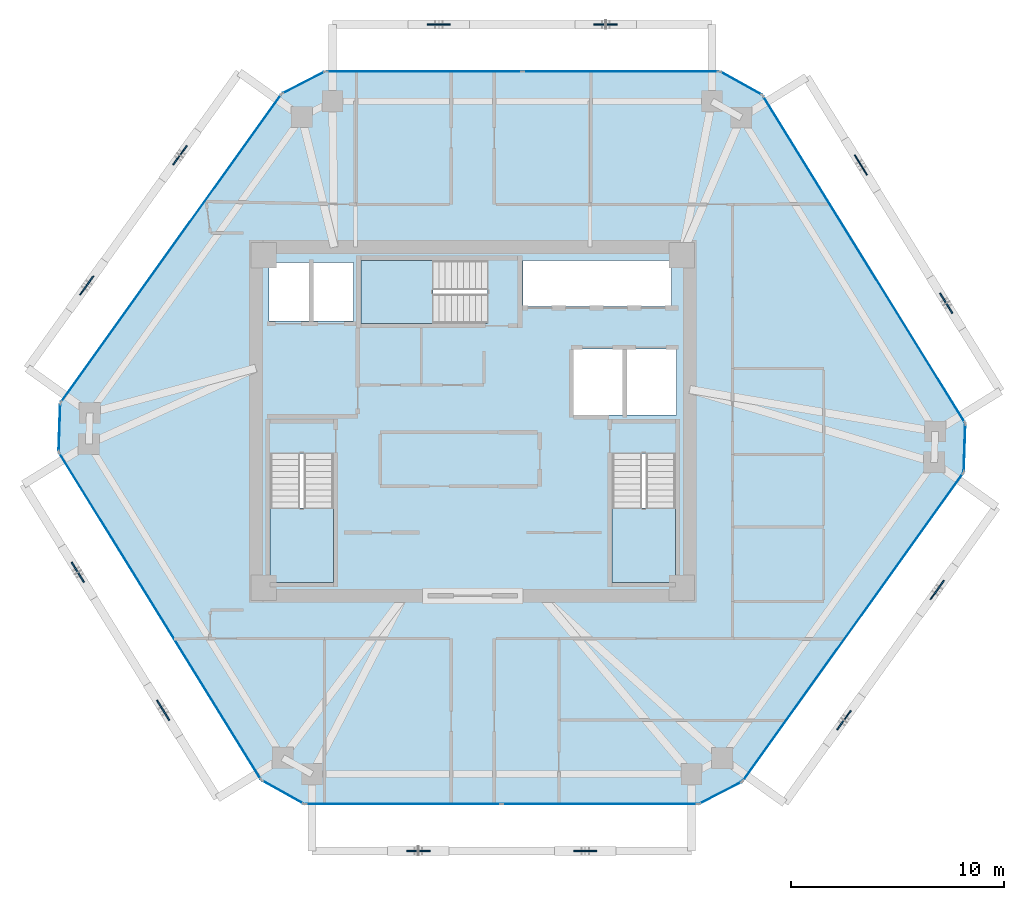
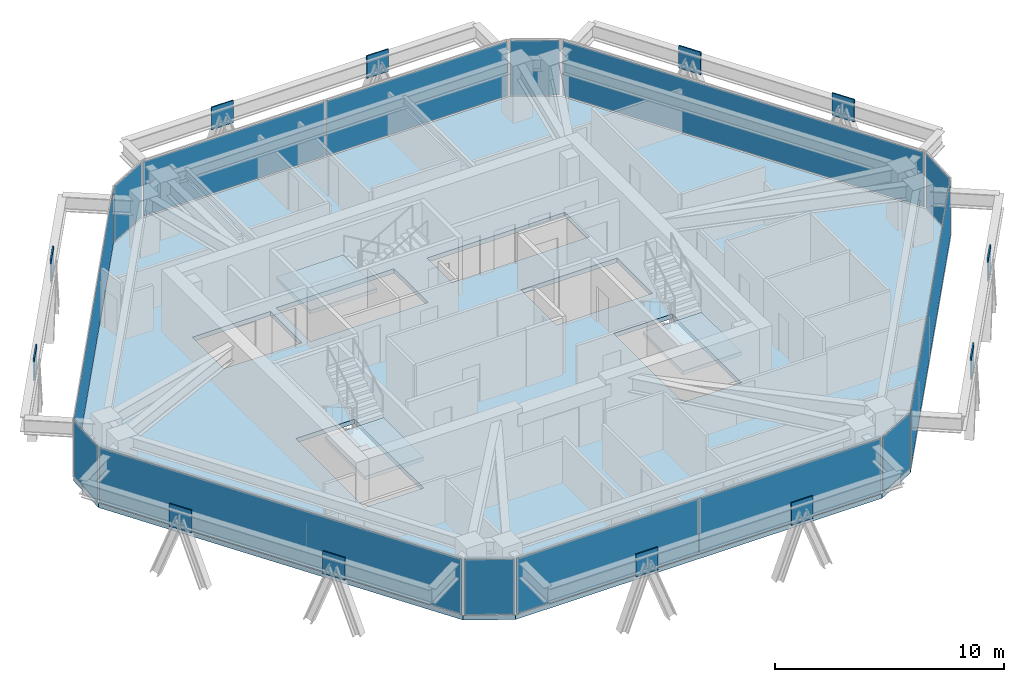
# One storey, part 7 of 14: 26 plates, 4 slabs, 15 elements without a shape of their own.
"""IFC4 building model written with IfcOpenShell, lengths in metres."""

from ifc_helpers import new_model, si_unit, direction, frame, origin, origin_2d, place, context, subcontext, project, spatial, polyline, rectangle, outline, extrude, source, transform, mapped, material, layer, layer_set, type_object, type_shapes, element, aggregate, save


model = new_model("IFC4")

# Units and contexts
model_context = context("Model", 3, precision=1e-05, world=origin(), true_north=direction((0.0, 1.0)))
body_context = subcontext(model_context, "Body", "Model", "MODEL_VIEW")
ifc_project = project(units=[si_unit("LENGTHUNIT", "METRE"), si_unit("AREAUNIT", "SQUARE_METRE"), si_unit("VOLUMEUNIT", "CUBIC_METRE"), si_unit("PLANEANGLEUNIT", "RADIAN"), si_unit("MASSUNIT", "GRAM", prefix="KILO")], contexts=[model_context])

# Site, building, storey
site_placement = place(None, origin())
site = spatial("IfcSite", under=ifc_project, at=site_placement, CompositionType="ELEMENT")
building_placement = place(site_placement, origin())
building = spatial("IfcBuilding", under=site, at=building_placement, Name="Durnholm Broadcast Tower", CompositionType="ELEMENT")
storey_placement = place(building_placement, frame((0.0, 0.0, 187.0)))
storey = spatial("IfcBuildingStorey", under=building, at=storey_placement, Name="L51", CompositionType="ELEMENT", Elevation=187.0)

# Slab
ifc_material_1 = material(Name="Concrete C50/60", Category="concrete")
ifc_layer_1 = layer(ifc_material_1, 0.239990234375)
ifc_layer_set_1 = layer_set([ifc_layer_1], Name="Concrete C50/60")
slab_type_1 = type_object("IfcSlabType", Name="SLAB-FLR-240", PredefinedType="FLOOR", material=ifc_layer_set_1)
slab_1_placement = place(storey_placement, frame((0.0, 0.0, -0.239990234375)))
element("IfcSlab", 1, at=slab_1_placement, inside=storey, type_object=slab_type_1, Name="L51 structural floor slab", PredefinedType="FLOOR", context=body_context, shape_type="SweptSolid", body=[
    extrude(outline(polyline([(-9.912353515625, -16.822021484375), (-7.9033203125, -17.94189453125), (10.59521484375, -17.94189453125), (12.64111328125, -16.890625), (23.022705078125, -2.390380859375), (23.1005859375, -0.091552734375), (13.59033203125, 15.2978515625), (11.581298828125, 16.41796875), (-6.917236328125, 16.41796875), (-8.962890625, 15.36669921875), (-19.3447265625, 0.8662109375), (-19.422607421875, -1.432373046875), (-9.912353515625, -16.822021484375)]), holes=[polyline([(-6.5400390625, -1.5), (-9.5, -1.5), (-9.5, -7.550048828125), (-6.5400390625, -7.550048828125), (-6.5400390625, -1.5)]), polyline([(9.5, -7.550048828125), (9.5, -1.5), (6.5400390625, -1.5), (6.5400390625, -7.550048828125), (9.5, -7.550048828125)]), polyline([(9.550048828125, 3.39990234375), (4.699951171875, 3.39990234375), (4.699951171875, 0.300048828125), (9.550048828125, 0.300048828125), (9.550048828125, 3.39990234375)]), polyline([(-9.550048828125, 7.449951171875), (-9.550048828125, 4.699951171875), (-5.60009765625, 4.699951171875), (-5.60009765625, 7.449951171875), (-9.550048828125, 7.449951171875)]), polyline([(-5.25, 4.60009765625), (0.699951171875, 4.60009765625), (0.699951171875, 7.56005859375), (-5.25, 7.56005859375), (-5.25, 4.60009765625)]), polyline([(9.31005859375, 7.550048828125), (2.35009765625, 7.550048828125), (2.35009765625, 5.39990234375), (9.31005859375, 5.39990234375), (9.31005859375, 7.550048828125)])]), origin(), (0.0, 0.0, 1.0), 0.239990234375),
])

# Stair, slab
stair_type = type_object("IfcStairType", Name="STAIR-DL-20R1650", PredefinedType="HALF_TURN_STAIR", material=ifc_material_1)
stair_1_placement = place(storey_placement, origin())
stair_1 = element("IfcStair", 2, at=stair_1_placement, inside=storey, type_object=stair_type, Name="L51 ST-1", PredefinedType="HALF_TURN_STAIR")
ifc_layer_2 = layer(ifc_material_1, 0.199951171875)
ifc_layer_set_2 = layer_set([ifc_layer_2], Name="Concrete C50/60")
slab_type_2 = type_object("IfcSlabType", Name="SLAB-LND-200", PredefinedType="LANDING", material=ifc_layer_set_2)
slab_2_placement = place(storey_placement, frame((0.0, 0.0, 1.449951171875)))
slab_2 = element("IfcSlab", 3, at=slab_2_placement, type_object=slab_type_2, Name="ST-1 landing 1", PredefinedType="LANDING", context=body_context, shape_type="SweptSolid", body=[
    extrude(outline(polyline([(-9.5, -4.06494140625), (-9.5, -7.550048828125), (-6.5400390625, -7.550048828125), (-6.5400390625, -4.06494140625), (-9.5, -4.06494140625)])), origin(), (0.0, 0.0, 1.0), 0.199951171875),
])
aggregate(stair_1, [slab_2])

stair_2_placement = place(storey_placement, origin())
stair_2 = element("IfcStair", 4, at=stair_2_placement, inside=storey, type_object=stair_type, Name="L51 ST-2", PredefinedType="HALF_TURN_STAIR")
slab_3_placement = place(storey_placement, frame((0.0, 0.0, 1.449951171875)))
slab_3 = element("IfcSlab", 5, at=slab_3_placement, type_object=slab_type_2, Name="ST-2 landing 1", PredefinedType="LANDING", context=body_context, shape_type="SweptSolid", body=[
    extrude(outline(polyline([(6.5400390625, -4.06494140625), (6.5400390625, -7.550048828125), (9.5, -7.550048828125), (9.5, -4.06494140625), (6.5400390625, -4.06494140625)])), origin(), (0.0, 0.0, 1.0), 0.199951171875),
])
aggregate(stair_2, [slab_3])

stair_3_placement = place(storey_placement, origin())
stair_3 = element("IfcStair", 6, at=stair_3_placement, inside=storey, type_object=stair_type, Name="L51 ST-3", PredefinedType="HALF_TURN_STAIR")
slab_4_placement = place(storey_placement, frame((0.0, 0.0, 1.449951171875)))
slab_4 = element("IfcSlab", 7, at=slab_4_placement, type_object=slab_type_2, Name="ST-3 landing 1", PredefinedType="LANDING", context=body_context, shape_type="SweptSolid", body=[
    extrude(outline(polyline([(-1.864990234375, 7.56005859375), (-5.25, 7.56005859375), (-5.25, 4.60009765625), (-1.864990234375, 4.60009765625), (-1.864990234375, 7.56005859375)])), origin(), (0.0, 0.0, 1.0), 0.199951171875),
])
aggregate(stair_3, [slab_4])

# Plates
ifc_material_2 = material(Name="Steel ASTM A572 Grade 50", Category="steel")
ifc_layer_3 = layer(ifc_material_2, 0.06494140625)
ifc_layer_set_3 = layer_set([ifc_layer_3], Name="Steel ASTM A572 Grade 50")
plate_type_1 = type_object("IfcPlateType", Name="PLT-KN07-GUS", PredefinedType="USERDEFINED", material=ifc_layer_set_3)
shared_shape_1 = source(origin(), body_context, "Body", "SweptSolid", [
    extrude(rectangle(XDim=1.10009765625, YDim=0.06494140625, at=origin_2d()), origin(), (0.0, 0.0, 1.0), 1.199951171875),
])
type_shapes(plate_type_1, [shared_shape_1])
for number, where, z_axis, x_axis, name in (
    (8, (-2.556640625, -20.14208984375, 1.70849609375), (0.0, 0.0, 1.0), (1.0, 0.0, 0.0), "L51 welded diagrid node gusset plate KN07 F1"),
    (9, (5.273681640625, -20.14208984375, 1.70849609375), (0.0, 0.0, 1.0), (1.0, 0.0, 0.0), "L51 welded diagrid node gusset plate KN07 F1"),
    (10, (17.40966796875, -14.009521484375, 1.70849609375), (0.0, 0.0, 1.0), (0.582122970157, 0.813100761047, 0.0), "L51 welded diagrid node gusset plate KN07 F2"),
    (11, (21.782470703125, -7.90185546875, 1.70849609375), (0.0, 0.0, 1.0), (0.582122970157, 0.813100761047, 0.0), "L51 welded diagrid node gusset plate KN07 F2"),
    (12, (22.202392578125, 5.546875, 1.70849609375), (0.0, 0.0, 1.0), (-0.525768608156, 0.850627633385, 0.0), "L51 welded diagrid node gusset plate KN07 F3"),
    (13, (18.2001953125, 12.023193359375, 1.70849609375), (0.0, 0.0, 1.0), (-0.525768608156, 0.850627633385, 0.0), "L51 welded diagrid node gusset plate KN07 F3"),
    (14, (6.234619140625, 18.617919921875, 1.70849609375), (0.0, 0.0, 1.0), (-1.0, 0.0, 0.0), "L51 welded diagrid node gusset plate KN07 F4"),
    (15, (-1.595703125, 18.617919921875, 1.70849609375), (0.0, 0.0, 1.0), (-1.0, 0.0, 0.0), "L51 welded diagrid node gusset plate KN07 F4"),
    (16, (-13.731689453125, 12.485595703125, 1.70849609375), (0.0, 0.0, 1.0), (-0.582122970157, -0.813100761047, 0.0), "L51 welded diagrid node gusset plate KN07 F5"),
    (17, (-18.1044921875, 6.3779296875, 1.70849609375), (0.0, 0.0, 1.0), (-0.582122970157, -0.813100761047, 0.0), "L51 welded diagrid node gusset plate KN07 F5"),
    (18, (-18.5244140625, -7.07080078125, 1.70849609375), (0.0, 0.0, 1.0), (0.525768608156, -0.850627633385, 0.0), "L51 welded diagrid node gusset plate KN07 F6"),
    (19, (-14.522216796875, -13.54736328125, 1.70849609375), (0.0, 0.0, 1.0), (0.525768608156, -0.850627633385, 0.0), "L51 welded diagrid node gusset plate KN07 F6"),
):
    element("IfcPlate", number, at=place(storey_placement, frame(where, z_axis=z_axis, x_axis=x_axis)), inside=storey, type_object=plate_type_1, Name=name, ObjectType="GUSSET_PLATE", PredefinedType="USERDEFINED", context=body_context, shape_type="MappedRepresentation", body=[
        mapped(shared_shape_1, transform((0.0, 0.0, 0.0), x_axis=(1.0, 0.0, 0.0), y_axis=(0.0, 1.0, 0.0), z_axis=(0.0, 0.0, 1.0), scale=1.0)),
    ])

# Curtain wall, plate
ifc_material_3 = material(Name="Aluminium and Solar Control IGU", Category="aluminium")
ifc_layer_4 = layer(ifc_material_3, 0.1650390625)
ifc_layer_set_4 = layer_set([ifc_layer_4], Name="Aluminium and Solar Control IGU")
curtain_wall_type_1 = type_object("IfcCurtainWallType", Name="CW-SYS-5", PredefinedType="NOTDEFINED", material=ifc_layer_set_4)
curtain_wall_1_placement = place(storey_placement, origin())
curtain_wall_1 = element("IfcCurtainWall", 20, at=curtain_wall_1_placement, inside=storey, type_object=curtain_wall_type_1, Name="L51 curtain wall CW-CORNER CW-L51-CRN-01", PredefinedType="NOTDEFINED")
ifc_material_4 = material(Name="Low-E Laminated Insulating Glass", Category="glass")
ifc_layer_5 = layer(ifc_material_4, 0.030029296875)
ifc_layer_set_5 = layer_set([ifc_layer_5], Name="Low-E Laminated Insulating Glass")
plate_type_2 = type_object("IfcPlateType", Name="CW-SYS-5-PNL", PredefinedType="CURTAIN_PANEL", material=ifc_layer_set_5)
shared_shape_2 = source(origin(), body_context, "Body", "SweptSolid", [
    extrude(rectangle(XDim=2.169921875, YDim=0.030029296875, at=origin_2d()), origin(), (0.0, 0.0, 1.0), 2.929931640625),
])
plate_1_placement = place(storey_placement, frame((-19.3837890625, -0.282958984375, 0.06494140625), z_axis=(0.0, 0.0, 1.0), x_axis=(0.033912704699, 0.999424798802, 0.0)))
plate_1 = element("IfcPlate", 21, at=plate_1_placement, type_object=plate_type_2, Name="CW-CORNER panel 1.1", PredefinedType="CURTAIN_PANEL", context=body_context, shape_type="MappedRepresentation", body=[
    mapped(shared_shape_2, transform((0.0, 0.0, 0.0), x_axis=(1.0, 0.0, 0.0), y_axis=(0.0, 1.0, 0.0), z_axis=(0.0, 0.0, 1.0), scale=1.0)),
])
aggregate(curtain_wall_1, [plate_1])

curtain_wall_2_placement = place(storey_placement, origin())
curtain_wall_2 = element("IfcCurtainWall", 22, at=curtain_wall_2_placement, inside=storey, type_object=curtain_wall_type_1, Name="L51 curtain wall CW-CORNER CW-L51-CRN-03", PredefinedType="NOTDEFINED")
plate_2_placement = place(storey_placement, frame((-7.940185546875, 15.892333984375, 0.06494140625), z_axis=(0.0, 0.0, 1.0), x_axis=(0.889424679545, 0.457081764476, 0.0)))
plate_2 = element("IfcPlate", 23, at=plate_2_placement, type_object=plate_type_2, Name="CW-CORNER panel 1.1", PredefinedType="CURTAIN_PANEL", context=body_context, shape_type="MappedRepresentation", body=[
    mapped(shared_shape_2, transform((0.0, 0.0, 0.0), x_axis=(1.0, 0.0, 0.0), y_axis=(0.0, 1.0, 0.0), z_axis=(0.0, 0.0, 1.0), scale=1.0)),
])
aggregate(curtain_wall_2, [plate_2])

curtain_wall_3_placement = place(storey_placement, origin())
curtain_wall_3 = element("IfcCurtainWall", 24, at=curtain_wall_3_placement, inside=storey, type_object=curtain_wall_type_1, Name="L51 curtain wall CW-CORNER CW-L51-CRN-07", PredefinedType="NOTDEFINED")
plate_3_placement = place(storey_placement, frame((23.061767578125, -1.240966796875, 0.06494140625), z_axis=(0.0, 0.0, 1.0), x_axis=(-0.033912704699, -0.999424798802, 0.0)))
plate_3 = element("IfcPlate", 25, at=plate_3_placement, type_object=plate_type_2, Name="CW-CORNER panel 1.1", PredefinedType="CURTAIN_PANEL", context=body_context, shape_type="MappedRepresentation", body=[
    mapped(shared_shape_2, transform((0.0, 0.0, 0.0), x_axis=(1.0, 0.0, 0.0), y_axis=(0.0, 1.0, 0.0), z_axis=(0.0, 0.0, 1.0), scale=1.0)),
])
aggregate(curtain_wall_3, [plate_3])

curtain_wall_4_placement = place(storey_placement, origin())
curtain_wall_4 = element("IfcCurtainWall", 26, at=curtain_wall_4_placement, inside=storey, type_object=curtain_wall_type_1, Name="L51 curtain wall CW-CORNER CW-L51-CRN-09", PredefinedType="NOTDEFINED")
plate_4_placement = place(storey_placement, frame((11.6181640625, -17.416259765625, 0.06494140625), z_axis=(0.0, 0.0, 1.0), x_axis=(-0.889424679545, -0.457081764476, 0.0)))
plate_4 = element("IfcPlate", 27, at=plate_4_placement, type_object=plate_type_2, Name="CW-CORNER panel 1.1", PredefinedType="CURTAIN_PANEL", context=body_context, shape_type="MappedRepresentation", body=[
    mapped(shared_shape_2, transform((0.0, 0.0, 0.0), x_axis=(1.0, 0.0, 0.0), y_axis=(0.0, 1.0, 0.0), z_axis=(0.0, 0.0, 1.0), scale=1.0)),
])
aggregate(curtain_wall_4, [plate_4])

ifc_layer_6 = layer(ifc_material_3, 0.18994140625)
ifc_layer_set_6 = layer_set([ifc_layer_6], Name="Aluminium and Solar Control IGU")
curtain_wall_type_2 = type_object("IfcCurtainWallType", Name="CW-SYS-4", PredefinedType="NOTDEFINED", material=ifc_layer_set_6)
curtain_wall_5_placement = place(storey_placement, origin())
curtain_wall_5 = element("IfcCurtainWall", 28, at=curtain_wall_5_placement, inside=storey, type_object=curtain_wall_type_2, Name="L51 curtain wall CW-Z34-VIS CW-L51-F02", PredefinedType="NOTDEFINED")
ifc_layer_7 = layer(ifc_material_4, 0.033935546875)
ifc_layer_set_7 = layer_set([ifc_layer_7], Name="Low-E Laminated Insulating Glass")
plate_type_3 = type_object("IfcPlateType", Name="CW-SYS-4-PNL", PredefinedType="CURTAIN_PANEL", material=ifc_layer_set_7)
shared_shape_3 = source(origin(), body_context, "Body", "SweptSolid", [
    extrude(rectangle(XDim=17.693603515625, YDim=0.033935546875, at=origin_2d()), origin(), (0.0, 0.0, 1.0), 2.919921875),
])
plate_5_placement = place(storey_placement, frame((-14.15380859375, 8.116455078125, 0.070068359375), z_axis=(0.0, 0.0, 1.0), x_axis=(0.582139030549, 0.813089262696, 0.0)))
plate_5 = element("IfcPlate", 29, at=plate_5_placement, type_object=plate_type_3, Name="CW-Z34-VIS panel 1.1", PredefinedType="CURTAIN_PANEL", context=body_context, shape_type="MappedRepresentation", body=[
    mapped(shared_shape_3, transform((0.0, 0.0, 0.0), x_axis=(1.0, 0.0, 0.0), y_axis=(0.0, 1.0, 0.0), z_axis=(0.0, 0.0, 1.0), scale=1.0)),
])
aggregate(curtain_wall_5, [plate_5])

curtain_wall_6_placement = place(storey_placement, origin())
curtain_wall_6 = element("IfcCurtainWall", 30, at=curtain_wall_6_placement, inside=storey, type_object=curtain_wall_type_2, Name="L51 curtain wall CW-Z34-VIS CW-L51-F08", PredefinedType="NOTDEFINED")
plate_6_placement = place(storey_placement, frame((17.831787109375, -9.640380859375, 0.070068359375), z_axis=(0.0, 0.0, 1.0), x_axis=(-0.582139030549, -0.813089262696, 0.0)))
plate_6 = element("IfcPlate", 31, at=plate_6_placement, type_object=plate_type_3, Name="CW-Z34-VIS panel 1.1", PredefinedType="CURTAIN_PANEL", context=body_context, shape_type="MappedRepresentation", body=[
    mapped(shared_shape_3, transform((0.0, 0.0, 0.0), x_axis=(1.0, 0.0, 0.0), y_axis=(0.0, 1.0, 0.0), z_axis=(0.0, 0.0, 1.0), scale=1.0)),
])
aggregate(curtain_wall_6, [plate_6])

# Curtain wall, plates
curtain_wall_7_placement = place(storey_placement, origin())
curtain_wall_7 = element("IfcCurtainWall", 32, at=curtain_wall_7_placement, inside=storey, type_object=curtain_wall_type_2, Name="L51 curtain wall CW-Z34-VIS CW-L51-F04", PredefinedType="NOTDEFINED")
shared_shape_4 = source(origin(), body_context, "Body", "SweptSolid", [
    extrude(rectangle(XDim=9.144287109375, YDim=0.033935546875, at=origin_2d()), origin(), (0.0, 0.0, 1.0), 2.919921875),
])
plate_7_placement = place(storey_placement, frame((-2.275146484375, 16.41796875, 0.070068359375), z_axis=(0.0, 0.0, 1.0), x_axis=(1.0, 0.0, 0.0)))
plate_7 = element("IfcPlate", 33, at=plate_7_placement, type_object=plate_type_3, Name="CW-Z34-VIS panel 1.1", PredefinedType="CURTAIN_PANEL", context=body_context, shape_type="MappedRepresentation", body=[
    mapped(shared_shape_4, transform((0.0, 0.0, 0.0), x_axis=(1.0, 0.0, 0.0), y_axis=(0.0, 1.0, 0.0), z_axis=(0.0, 0.0, 1.0), scale=1.0)),
])
plate_8_placement = place(storey_placement, frame((6.939208984375, 16.41796875, 0.070068359375), z_axis=(0.0, 0.0, 1.0), x_axis=(1.0, 0.0, 0.0)))
plate_8 = element("IfcPlate", 34, at=plate_8_placement, type_object=plate_type_3, Name="CW-Z34-VIS panel 2.1", PredefinedType="CURTAIN_PANEL", context=body_context, shape_type="MappedRepresentation", body=[
    mapped(shared_shape_4, transform((0.0, 0.0, 0.0), x_axis=(1.0, 0.0, 0.0), y_axis=(0.0, 1.0, 0.0), z_axis=(0.0, 0.0, 1.0), scale=1.0)),
])
aggregate(curtain_wall_7, [plate_7, plate_8])

curtain_wall_8_placement = place(storey_placement, origin())
curtain_wall_8 = element("IfcCurtainWall", 35, at=curtain_wall_8_placement, inside=storey, type_object=curtain_wall_type_2, Name="L51 curtain wall CW-Z34-VIS CW-L51-F10", PredefinedType="NOTDEFINED")
plate_9_placement = place(storey_placement, frame((5.953125, -17.94189453125, 0.070068359375), z_axis=(0.0, 0.0, 1.0), x_axis=(-1.0, 0.0, 0.0)))
plate_9 = element("IfcPlate", 36, at=plate_9_placement, type_object=plate_type_3, Name="CW-Z34-VIS panel 1.1", PredefinedType="CURTAIN_PANEL", context=body_context, shape_type="MappedRepresentation", body=[
    mapped(shared_shape_4, transform((0.0, 0.0, 0.0), x_axis=(1.0, 0.0, 0.0), y_axis=(0.0, 1.0, 0.0), z_axis=(0.0, 0.0, 1.0), scale=1.0)),
])
plate_10_placement = place(storey_placement, frame((-3.26123046875, -17.94189453125, 0.070068359375), z_axis=(0.0, 0.0, 1.0), x_axis=(-1.0, 0.0, 0.0)))
plate_10 = element("IfcPlate", 37, at=plate_10_placement, type_object=plate_type_3, Name="CW-Z34-VIS panel 2.1", PredefinedType="CURTAIN_PANEL", context=body_context, shape_type="MappedRepresentation", body=[
    mapped(shared_shape_4, transform((0.0, 0.0, 0.0), x_axis=(1.0, 0.0, 0.0), y_axis=(0.0, 1.0, 0.0), z_axis=(0.0, 0.0, 1.0), scale=1.0)),
])
aggregate(curtain_wall_8, [plate_9, plate_10])

# Curtain wall, plate
curtain_wall_9_placement = place(storey_placement, origin())
curtain_wall_9 = element("IfcCurtainWall", 38, at=curtain_wall_9_placement, inside=storey, type_object=curtain_wall_type_1, Name="L51 curtain wall CW-CORNER CW-L51-CRN-05", PredefinedType="NOTDEFINED")
shared_shape_5 = source(origin(), body_context, "Body", "SweptSolid", [
    extrude(rectangle(XDim=2.170166015625, YDim=0.030029296875, at=origin_2d()), origin(), (0.0, 0.0, 1.0), 2.929931640625),
])
type_shapes(plate_type_2, [shared_shape_2, shared_shape_5])
plate_11_placement = place(storey_placement, frame((12.5859375, 15.85791015625, 0.06494140625), z_axis=(0.0, 0.0, 1.0), x_axis=(0.873409751271, -0.486986043316, 0.0)))
plate_11 = element("IfcPlate", 39, at=plate_11_placement, type_object=plate_type_2, Name="CW-CORNER panel 1.1", PredefinedType="CURTAIN_PANEL", context=body_context, shape_type="MappedRepresentation", body=[
    mapped(shared_shape_5, transform((0.0, 0.0, 0.0), x_axis=(1.0, 0.0, 0.0), y_axis=(0.0, 1.0, 0.0), z_axis=(0.0, 0.0, 1.0), scale=1.0)),
])
aggregate(curtain_wall_9, [plate_11])

curtain_wall_10_placement = place(storey_placement, origin())
curtain_wall_10 = element("IfcCurtainWall", 40, at=curtain_wall_10_placement, inside=storey, type_object=curtain_wall_type_1, Name="L51 curtain wall CW-CORNER CW-L51-CRN-11", PredefinedType="NOTDEFINED")
plate_12_placement = place(storey_placement, frame((-8.907958984375, -17.3818359375, 0.06494140625), z_axis=(0.0, 0.0, 1.0), x_axis=(-0.873409751271, 0.486986043316, 0.0)))
plate_12 = element("IfcPlate", 41, at=plate_12_placement, type_object=plate_type_2, Name="CW-CORNER panel 1.1", PredefinedType="CURTAIN_PANEL", context=body_context, shape_type="MappedRepresentation", body=[
    mapped(shared_shape_5, transform((0.0, 0.0, 0.0), x_axis=(1.0, 0.0, 0.0), y_axis=(0.0, 1.0, 0.0), z_axis=(0.0, 0.0, 1.0), scale=1.0)),
])
aggregate(curtain_wall_10, [plate_12])

curtain_wall_11_placement = place(storey_placement, origin())
curtain_wall_11 = element("IfcCurtainWall", 42, at=curtain_wall_11_placement, inside=storey, type_object=curtain_wall_type_2, Name="L51 curtain wall CW-Z34-VIS CW-L51-F06", PredefinedType="NOTDEFINED")
shared_shape_6 = source(origin(), body_context, "Body", "SweptSolid", [
    extrude(rectangle(XDim=17.950927734375, YDim=0.033935546875, at=origin_2d()), origin(), (0.0, 0.0, 1.0), 2.919921875),
])
type_shapes(plate_type_3, [shared_shape_3, shared_shape_4, shared_shape_6])
plate_13_placement = place(storey_placement, frame((18.345458984375, 7.603271484375, 0.070068359375), z_axis=(0.0, 0.0, 1.0), x_axis=(0.525697750452, -0.850671426092, 0.0)))
plate_13 = element("IfcPlate", 43, at=plate_13_placement, type_object=plate_type_3, Name="CW-Z34-VIS panel 1.1", PredefinedType="CURTAIN_PANEL", context=body_context, shape_type="MappedRepresentation", body=[
    mapped(shared_shape_6, transform((0.0, 0.0, 0.0), x_axis=(1.0, 0.0, 0.0), y_axis=(0.0, 1.0, 0.0), z_axis=(0.0, 0.0, 1.0), scale=1.0)),
])
aggregate(curtain_wall_11, [plate_13])

curtain_wall_12_placement = place(storey_placement, origin())
curtain_wall_12 = element("IfcCurtainWall", 44, at=curtain_wall_12_placement, inside=storey, type_object=curtain_wall_type_2, Name="L51 curtain wall CW-Z34-VIS CW-L51-F12", PredefinedType="NOTDEFINED")
plate_14_placement = place(storey_placement, frame((-14.66748046875, -9.127197265625, 0.070068359375), z_axis=(0.0, 0.0, 1.0), x_axis=(-0.525697750452, 0.850671426092, 0.0)))
plate_14 = element("IfcPlate", 45, at=plate_14_placement, type_object=plate_type_3, Name="CW-Z34-VIS panel 1.1", PredefinedType="CURTAIN_PANEL", context=body_context, shape_type="MappedRepresentation", body=[
    mapped(shared_shape_6, transform((0.0, 0.0, 0.0), x_axis=(1.0, 0.0, 0.0), y_axis=(0.0, 1.0, 0.0), z_axis=(0.0, 0.0, 1.0), scale=1.0)),
])
aggregate(curtain_wall_12, [plate_14])

save(model, "model.ifc")
